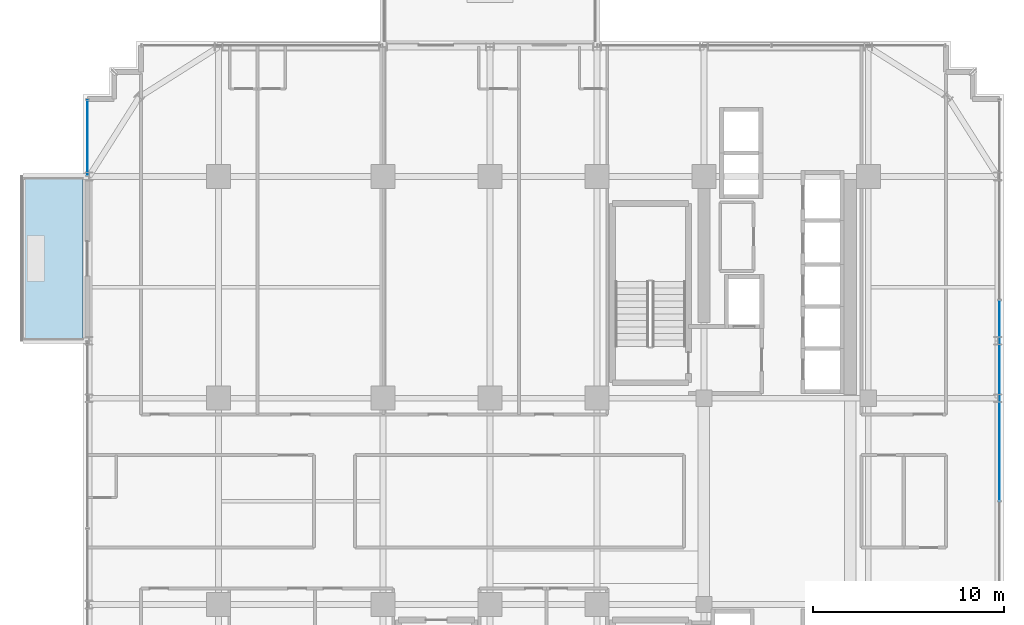
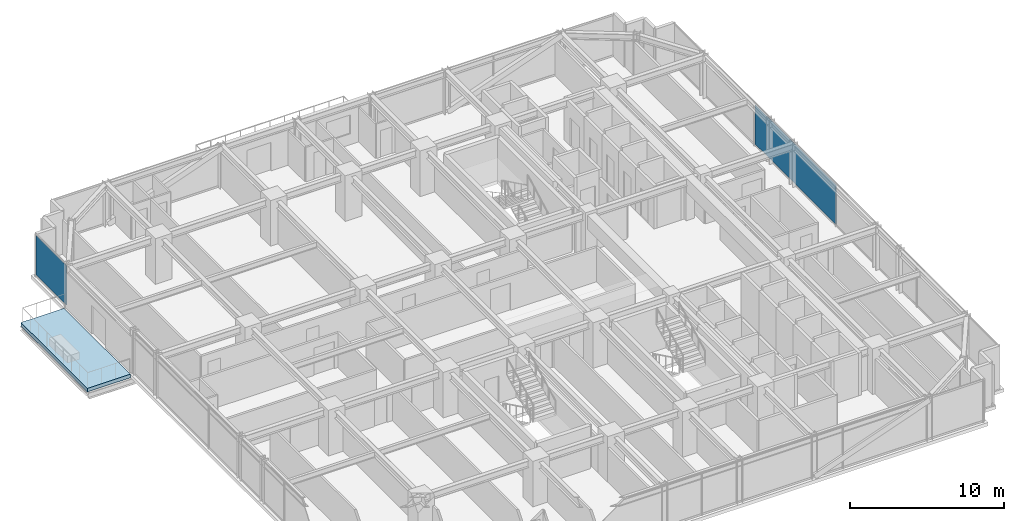
# One storey, part 29 of 39: 2 plates, 1 slab, 2 elements without a shape of their own.
"""IFC4 building model written with IfcOpenShell, lengths in metres."""

import ifcopenshell
import ifcopenshell.guid

model = None  # the IFC model being written
_history = None  # IfcOwnerHistory: only IFC2X3 demands one
_inside = {}  # id of a spatial element -> (the spatial element, [elements in it])
_under = {}  # id of a project, library or spatial element -> (it, [spatial elements below it])
_declared = {}  # id of a project -> (the project, [libraries it declares])
_typed = {}  # id of a type object -> (the type object, [elements of that type])
_made_of = {}  # id of a material, layer set ... -> (it, [elements and type objects made of it])


def new_model(schema):
    """Start an empty IFC model of exactly this schema.

    Asked for "IFC4X3", IfcOpenShell would pick the latest addendum, in which some entities
    have other attributes; the version numbers below select the first issue.
    IFC2X3 requires an IfcOwnerHistory on every rooted entity: one is made here for all.
    """
    global model, _history
    if schema == "IFC4X3":
        model = ifcopenshell.file(schema_version=(4, 3, 0, 0))
    else:
        model = ifcopenshell.file(schema=schema)
    _inside.clear()
    _under.clear()
    _declared.clear()
    _typed.clear()
    _made_of.clear()
    _history = None
    if model.schema == "IFC2X3":
        org = make("IfcOrganization", Name="unknown")
        user = make(
            "IfcPersonAndOrganization",
            ThePerson=make("IfcPerson", FamilyName="unknown"),
            TheOrganization=org,
        )
        app = make(
            "IfcApplication",
            ApplicationDeveloper=org,
            Version="unknown",
            ApplicationFullName="unknown",
            ApplicationIdentifier="unknown",
        )
        _history = make(
            "IfcOwnerHistory",
            OwningUser=user,
            OwningApplication=app,
            ChangeAction="ADDED",
            CreationDate=0,
        )
    return model


def make(cls, **values):
    """One entity of the class cls with the attributes given. An attribute that is None is left unset."""
    return model.create_entity(
        cls, **{name: value for name, value in values.items() if value is not None}
    )


def rooted(cls, **values):
    """An entity with a GlobalId (a new one), such as an element, a storey or a relation."""
    return make(cls, GlobalId=ifcopenshell.guid.new(), OwnerHistory=_history, **values)


def si_unit(unit_type, name, prefix=None):
    """IfcSIUnit, for example si_unit("LENGTHUNIT", "METRE", prefix="MILLI")."""
    return make("IfcSIUnit", UnitType=unit_type, Prefix=prefix, Name=name)


def assignment(units):
    """IfcUnitAssignment: the units of a project."""
    return None if units is None else make("IfcUnitAssignment", Units=units)


def point(xyz):
    """IfcCartesianPoint."""
    return None if xyz is None else make("IfcCartesianPoint", Coordinates=xyz)


def direction(xyz):
    """IfcDirection."""
    return None if xyz is None else make("IfcDirection", DirectionRatios=xyz)


def frame(location, z_axis=None, x_axis=None):
    """IfcAxis2Placement3D, a coordinate frame: its origin and axes. An axis left out is left unset."""
    return make(
        "IfcAxis2Placement3D",
        Location=point(location),
        Axis=direction(z_axis),
        RefDirection=direction(x_axis),
    )


def frame_2d(location, x_axis=None):
    """IfcAxis2Placement2D, a coordinate frame in the plane: its origin and x axis."""
    return make(
        "IfcAxis2Placement2D", Location=point(location), RefDirection=direction(x_axis)
    )


def origin():
    """The frame at (0, 0, 0) with its axes left unset."""
    return frame((0.0, 0.0, 0.0))


def origin_2d():
    """The frame at (0, 0) in the plane with its x axis left unset."""
    return frame_2d((0.0, 0.0))


def place(relative_to, where):
    """IfcLocalPlacement: puts the frame where relative to a parent placement (None: the world)."""
    return make(
        "IfcLocalPlacement", PlacementRelTo=relative_to, RelativePlacement=where
    )


def context(
    kind, dimensions, precision=None, world=None, true_north=None, identifier=None
):
    """IfcGeometricRepresentationContext, for example the 3D "Model" context."""
    return make(
        "IfcGeometricRepresentationContext",
        ContextIdentifier=identifier,
        ContextType=kind,
        CoordinateSpaceDimension=dimensions,
        Precision=precision,
        WorldCoordinateSystem=world,
        TrueNorth=true_north,
    )


def subcontext(parent, identifier, kind, view, scale=None):
    """IfcGeometricRepresentationSubContext, for example "Body" below "Model"."""
    return make(
        "IfcGeometricRepresentationSubContext",
        ContextIdentifier=identifier,
        ContextType=kind,
        ParentContext=parent,
        TargetScale=scale,
        TargetView=view,
    )


def project(units=None, contexts=None):
    """IfcProject with its units and contexts."""
    return rooted(
        "IfcProject",
        Name="project",
        RepresentationContexts=contexts,
        UnitsInContext=assignment(units),
    )


def spatial(cls, under=None, at=None, **own):
    """A site, building, storey or space (cls), placed at a placement, below another one or the project."""
    s = rooted(cls, ObjectPlacement=at, **own)
    if under is not None:
        _under.setdefault(under.id(), (under, []))[1].append(s)
    return s


def polyline(points):
    """IfcPolyline through the points."""
    return make("IfcPolyline", Points=[point(p) for p in points])


def profile(cls, at=None, kind="AREA", **sizes):
    """A parametric profile (cls). Its sizes go by their IFC names, for example OverallWidth=200.0."""
    return make(cls, ProfileType=kind, Position=at, **sizes)


def rectangle(**sizes):
    """IfcRectangleProfileDef."""
    return profile("IfcRectangleProfileDef", **sizes)


def outline(outer, holes=None, kind="AREA"):
    """IfcArbitraryClosedProfileDef: a profile drawn as a closed curve; with holes, ...WithVoids."""
    if holes is None:
        return make("IfcArbitraryClosedProfileDef", ProfileType=kind, OuterCurve=outer)
    return make(
        "IfcArbitraryProfileDefWithVoids",
        ProfileType=kind,
        OuterCurve=outer,
        InnerCurves=holes,
    )


def extrude(swept, where, along, depth):
    """IfcExtrudedAreaSolid: the profile swept, set in the frame where, extruded along a direction by depth."""
    return make(
        "IfcExtrudedAreaSolid",
        SweptArea=swept,
        Position=where,
        ExtrudedDirection=direction(along),
        Depth=depth,
    )


def shape(context_of_items, identifier, shape_type, items):
    """IfcShapeRepresentation: the items that make up one representation, for example the "Body"."""
    return make(
        "IfcShapeRepresentation",
        ContextOfItems=context_of_items,
        RepresentationIdentifier=identifier,
        RepresentationType=shape_type,
        Items=items,
    )


def source(mapping_origin, context_of_items, identifier, shape_type, items):
    """IfcRepresentationMap: a shape defined once, which mapped items show again and again."""
    return make(
        "IfcRepresentationMap",
        MappingOrigin=mapping_origin,
        MappedRepresentation=shape(context_of_items, identifier, shape_type, items),
    )


def transform(
    local_origin,
    x_axis=None,
    y_axis=None,
    z_axis=None,
    scale=None,
    scale2=None,
    scale3=None,
    uniform=True,
):
    """IfcCartesianTransformationOperator3D, or its non-uniform kind. x_axis, y_axis, z_axis: its Axis1, 2, 3."""
    if uniform:
        return make(
            "IfcCartesianTransformationOperator3D",
            Axis1=direction(x_axis),
            Axis2=direction(y_axis),
            LocalOrigin=point(local_origin),
            Scale=scale,
            Axis3=direction(z_axis),
        )
    return make(
        "IfcCartesianTransformationOperator3DnonUniform",
        Axis1=direction(x_axis),
        Axis2=direction(y_axis),
        LocalOrigin=point(local_origin),
        Scale=scale,
        Axis3=direction(z_axis),
        Scale2=scale2,
        Scale3=scale3,
    )


def mapped(mapping_source, mapping_target):
    """IfcMappedItem: shows the shape of a source again, moved by a transform."""
    return make(
        "IfcMappedItem", MappingSource=mapping_source, MappingTarget=mapping_target
    )


def material(Name=None, Category=None):
    """IfcMaterial."""
    return make("IfcMaterial", Name=Name, Category=Category)


def layer(
    of_material, thickness, ventilated=None, Name=None, Category=None, Priority=None
):
    """IfcMaterialLayer: one layer of a wall or slab, of a material (None: an air gap)."""
    return make(
        "IfcMaterialLayer",
        Material=of_material,
        LayerThickness=thickness,
        IsVentilated=ventilated,
        Name=Name,
        Category=Category,
        Priority=Priority,
    )


def layer_set(layers, Name=None):
    """IfcMaterialLayerSet."""
    return make("IfcMaterialLayerSet", MaterialLayers=layers, LayerSetName=Name)


def made_of(thing, what):
    """Note that an element or type object is made of a material, layer set ...; save() writes the relation."""
    if what is not None:
        _made_of.setdefault(what.id(), (what, []))[1].append(thing)
    return thing


def type_object(cls, material=None, **own):
    """A type object (cls), such as IfcWallType, which elements share."""
    return made_of(rooted(cls, **own), material)


def element(
    cls,
    number,
    at=None,
    inside=None,
    cuts=None,
    type_object=None,
    material=None,
    context=None,
    identifier="Body",
    shape_type=None,
    held_by="IfcProductDefinitionShape",
    body=None,
    shapes=None,
    **own,
):
    """One element of the class cls, such as IfcWall. Its Tag is "e" and its number.

    at: its placement. inside: the storey or other place that contains it. cuts: it is an
    opening in that element (IfcRelVoidsElement). A single representation is given by context,
    identifier, shape_type and body (its items); several are given by shapes. held_by: the class
    of the entity that holds the representations. save() writes the other relations.
    """
    e = rooted(cls, Tag="e%d" % number, ObjectPlacement=at, **own)
    if body is not None:
        shapes = [shape(context, identifier, shape_type, body)]
    if shapes is not None:
        e.Representation = make(held_by, Representations=shapes)
    if inside is not None:
        _inside.setdefault(inside.id(), (inside, []))[1].append(e)
    if cuts is not None:
        rooted(
            "IfcRelVoidsElement", RelatingBuildingElement=cuts, RelatedOpeningElement=e
        )
    if type_object is not None:
        _typed.setdefault(type_object.id(), (type_object, []))[1].append(e)
    return made_of(e, material)


def aggregate(whole, parts):
    """IfcRelAggregates: a whole, such as a stair, and the parts it consists of."""
    return rooted("IfcRelAggregates", RelatingObject=whole, RelatedObjects=parts)


def save(model, path):
    """Write the relations noted so far, then the file.

    IfcRelAggregates (storeys below a building ...), IfcRelContainedInSpatialStructure (elements
    in a storey), IfcRelDefinesByType, IfcRelAssociatesMaterial and IfcRelDeclares: one each for
    every whole, place, type object, material and project.
    """
    for whole, parts in _under.values():
        aggregate(whole, parts)
    for where, things in _inside.values():
        rooted(
            "IfcRelContainedInSpatialStructure",
            RelatedElements=things,
            RelatingStructure=where,
        )
    for kind, things in _typed.values():
        rooted("IfcRelDefinesByType", RelatedObjects=things, RelatingType=kind)
    for what, things in _made_of.values():
        rooted("IfcRelAssociatesMaterial", RelatedObjects=things, RelatingMaterial=what)
    for by, libraries in _declared.values():
        rooted("IfcRelDeclares", RelatingContext=by, RelatedDefinitions=libraries)
    model.write(path)


model = new_model("IFC4")

# Units and contexts
model_context = context("Model", 3, precision=1e-05, world=origin(), true_north=direction((0.0, 1.0)))
body_context = subcontext(model_context, "Body", "Model", "MODEL_VIEW")
ifc_project = project(units=[si_unit("LENGTHUNIT", "METRE"), si_unit("AREAUNIT", "SQUARE_METRE"), si_unit("VOLUMEUNIT", "CUBIC_METRE"), si_unit("PLANEANGLEUNIT", "RADIAN"), si_unit("MASSUNIT", "GRAM", prefix="KILO")], contexts=[model_context])

# Site, building, storey
site_placement = place(None, origin())
site = spatial("IfcSite", under=ifc_project, at=site_placement, CompositionType="ELEMENT")
building_placement = place(site_placement, origin())
building = spatial("IfcBuilding", under=site, at=building_placement, Name="Nahalor Promenade Grand Hotel", CompositionType="ELEMENT")
storey_placement = place(building_placement, frame((0.0, 0.0, 135.75)))
storey = spatial("IfcBuildingStorey", under=building, at=storey_placement, Name="L34", CompositionType="ELEMENT", Elevation=135.75)

# Slab
ifc_material_1 = material(Name="Concrete B-50 (C40/50)", Category="concrete")
ifc_layer_1 = layer(ifc_material_1, 0.280029296875)
ifc_layer_set_1 = layer_set([ifc_layer_1], Name="Concrete B-50 (C40/50)")
slab_type = type_object("IfcSlabType", Name="Slab-Balcony-280", PredefinedType="FLOOR", material=ifc_layer_set_1)
slab_placement = place(storey_placement, frame((0.0, 0.0, -0.280029296875)))
element("IfcSlab", 1, at=slab_placement, inside=storey, type_object=slab_type, Name="L34 Cantilevered Planted Balcony 2", PredefinedType="FLOOR", context=body_context, shape_type="SweptSolid", body=[
    extrude(outline(polyline([(-27.320068359375, 8.39990234375), (-24.10009765625, 8.39990234375), (-24.10009765625, 17.0), (-27.320068359375, 17.0), (-27.320068359375, 8.39990234375)])), origin(), (0.0, 0.0, 1.0), 0.280029296875),
])

# Curtain wall, plate
ifc_material_2 = material(Name="Anodised Bronze Aluminium EN AW-6063 T6", Category="aluminium")
curtain_wall_type = type_object("IfcCurtainWallType", Name="CW2 Typical Hotel Flush Bronze Unitised Curtain Wall", PredefinedType="USERDEFINED", material=ifc_material_2)
curtain_wall_1_placement = place(storey_placement, origin())
curtain_wall_1 = element("IfcCurtainWall", 2, at=curtain_wall_1_placement, inside=storey, type_object=curtain_wall_type, Name="L34 Curtain Wall CW-L34-W-3", ObjectType="UNITISED_CURTAIN_WALL", PredefinedType="USERDEFINED")
ifc_material_3 = material(Name="Low-E Laminated Solar Glass", Category="glass")
ifc_layer_2 = layer(ifc_material_3, 0.028076171875)
ifc_layer_set_2 = layer_set([ifc_layer_2], Name="Low-E Laminated Solar Glass")
plate_type = type_object("IfcPlateType", Name="CWP2 Bronze Low-E Vision IGU 28mm", PredefinedType="CURTAIN_PANEL", material=ifc_layer_set_2)
shared_shape_1 = source(origin(), body_context, "Body", "SweptSolid", [
    extrude(rectangle(XDim=3.929931640625, YDim=0.028076171875, at=origin_2d()), origin(), (0.0, 0.0, 1.0), 3.1201171875),
])
plate_1_placement = place(storey_placement, frame((-23.860107421875, 19.030029296875, 0.1298828125), z_axis=(0.0, 0.0, 1.0), x_axis=(0.0, 1.0, 0.0)))
plate_1 = element("IfcPlate", 3, at=plate_1_placement, type_object=plate_type, Name="CW-L34-W-3 Glazing Panel 0-0", PredefinedType="CURTAIN_PANEL", context=body_context, shape_type="MappedRepresentation", body=[
    mapped(shared_shape_1, transform((0.0, 0.0, 0.0), scale=1.0)),
])
aggregate(curtain_wall_1, [plate_1])

curtain_wall_2_placement = place(storey_placement, origin())
curtain_wall_2 = element("IfcCurtainWall", 4, at=curtain_wall_2_placement, inside=storey, type_object=curtain_wall_type, Name="L34 Curtain Wall CW-L34-E-1", ObjectType="UNITISED_CURTAIN_WALL", PredefinedType="USERDEFINED")
shared_shape_2 = source(origin(), body_context, "Body", "SweptSolid", [
    extrude(rectangle(XDim=10.465087890625, YDim=0.028076171875, at=origin_2d()), origin(), (0.0, 0.0, 1.0), 3.1201171875),
])
plate_2_placement = place(storey_placement, frame((23.860107421875, 5.264892578125, 0.1298828125), z_axis=(0.0, 0.0, 1.0), x_axis=(0.0, 1.0, 0.0)))
plate_2 = element("IfcPlate", 5, at=plate_2_placement, type_object=plate_type, Name="CW-L34-E-1 Glazing Panel 2-0", PredefinedType="CURTAIN_PANEL", context=body_context, shape_type="MappedRepresentation", body=[
    mapped(shared_shape_2, transform((0.0, 0.0, 0.0), scale=1.0)),
])
aggregate(curtain_wall_2, [plate_2])

save(model, "model.ifc")
